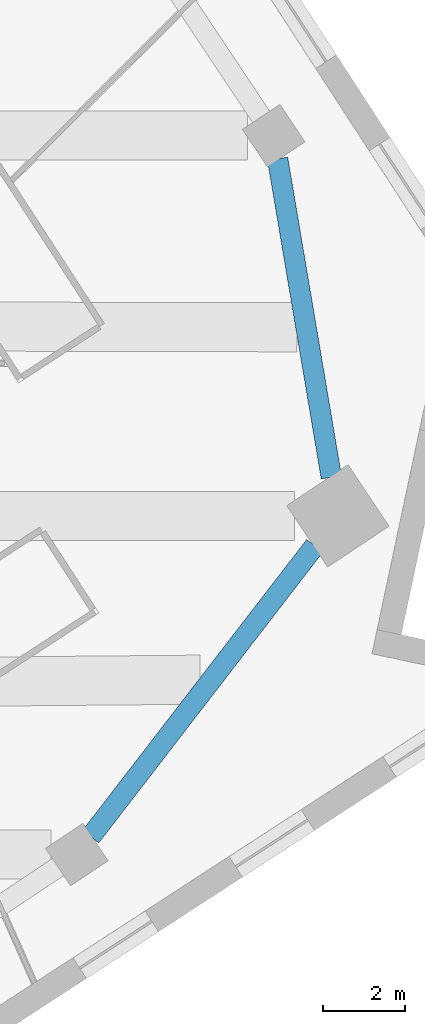
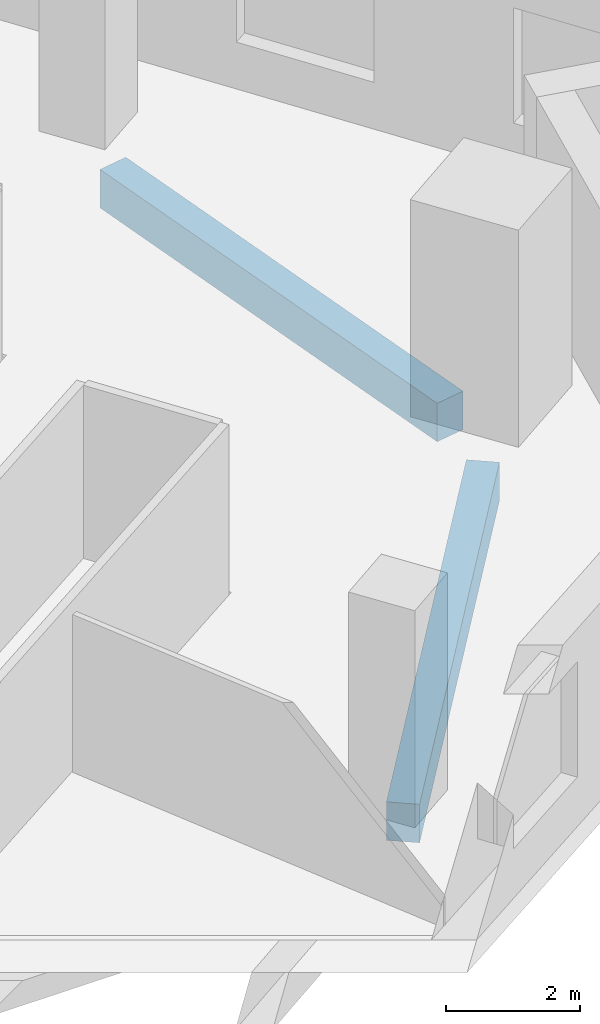
# One storey, part 3 of 12: 2 beams.
"""IFC4 building model written with IfcOpenShell, lengths in metres."""

from ifc_helpers import new_model, si_unit, direction, frame, origin, origin_2d, place, context, subcontext, project, spatial, rectangle, extrude, material, material_profile, profile_set, type_object, element, save


model = new_model("IFC4")

# Units and contexts
model_context = context("Model", 3, precision=1e-05, world=origin(), true_north=direction((0.0, 1.0)))
body_context = subcontext(model_context, "Body", "Model", "MODEL_VIEW")
ifc_project = project(units=[si_unit("LENGTHUNIT", "METRE"), si_unit("AREAUNIT", "SQUARE_METRE"), si_unit("VOLUMEUNIT", "CUBIC_METRE"), si_unit("PLANEANGLEUNIT", "RADIAN"), si_unit("MASSUNIT", "GRAM", prefix="KILO")], contexts=[model_context])

# Site, building, storey
site_placement = place(None, origin())
site = spatial("IfcSite", under=ifc_project, at=site_placement, CompositionType="ELEMENT")
building_placement = place(site_placement, origin())
building = spatial("IfcBuilding", under=site, at=building_placement, Name="Dilmun Exchange Tower", CompositionType="ELEMENT")
storey_placement = place(building_placement, frame((0.0, 0.0, 159.699951171875)))
storey = spatial("IfcBuildingStorey", under=building, at=storey_placement, Name="L37", CompositionType="ELEMENT", Elevation=159.699951171875)

# Beams
ifc_material = material(Name="Concrete C40/50", Category="concrete")
ifc_material_profile = material_profile(ifc_material, rectangle(XDim=0.5, YDim=0.699951171875, at=origin_2d()), Name="500 x 700")
ifc_profile_set = profile_set([ifc_material_profile], Name="Concrete C40/50")
beam_type = type_object("IfcBeamType", Name="RC ring beam 500 x 700 C40/50", PredefinedType="SPANDREL", material=ifc_profile_set)
beam_1_placement = place(storey_placement, frame((25.037109375, -11.819580078125, -0.75), z_axis=(0.610521727247, 0.791999507929, 0.0), x_axis=(-0.791999507929, 0.610521727247, 0.0)))
element("IfcBeam", 1, at=beam_1_placement, inside=storey, type_object=beam_type, Name="Ring beam 12", PredefinedType="SPANDREL", context=body_context, shape_type="SweptSolid", body=[
    extrude(rectangle(XDim=0.5, YDim=0.699951171875, at=origin_2d()), origin(), (0.0, 0.0, 1.0), 8.97314453125),
])
beam_2_placement = place(storey_placement, frame((30.91943359375, -3.036376953125, -0.75), z_axis=(-0.166485785433, 0.986043854628, 0.0), x_axis=(-0.986043854628, -0.166485785433, 0.0)))
element("IfcBeam", 2, at=beam_2_placement, inside=storey, type_object=beam_type, Name="Ring beam 13", PredefinedType="SPANDREL", context=body_context, shape_type="SweptSolid", body=[
    extrude(rectangle(XDim=0.5, YDim=0.699951171875, at=origin_2d()), origin(), (0.0, 0.0, 1.0), 7.890869140625),
])

save(model, "model.ifc")
